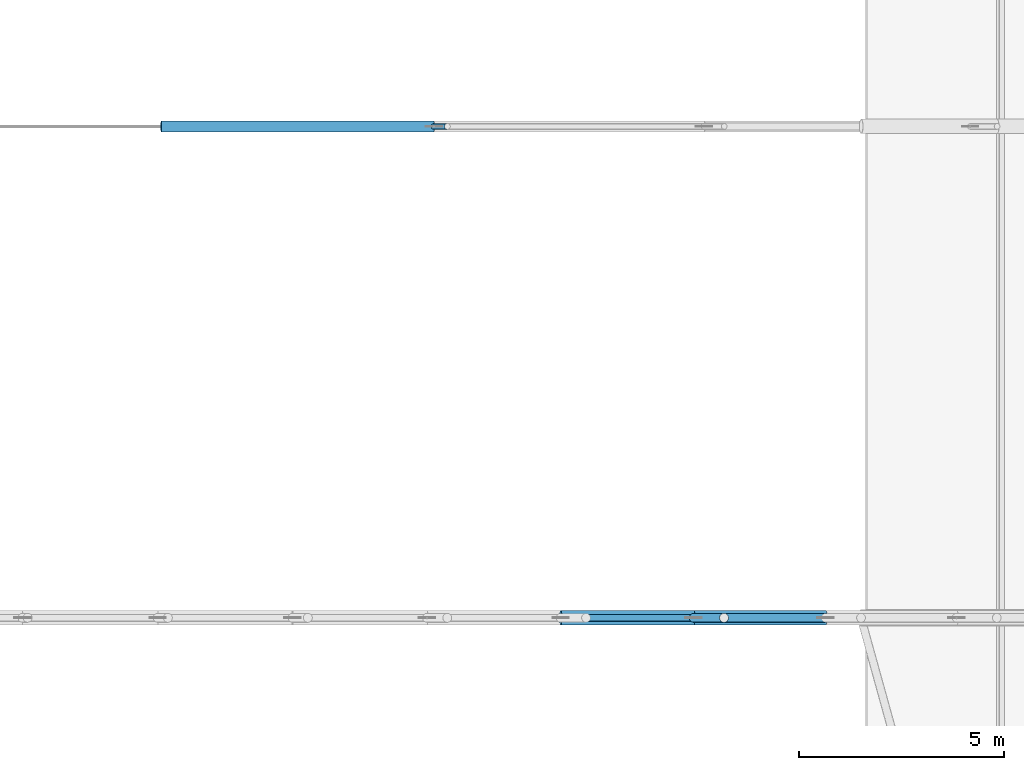
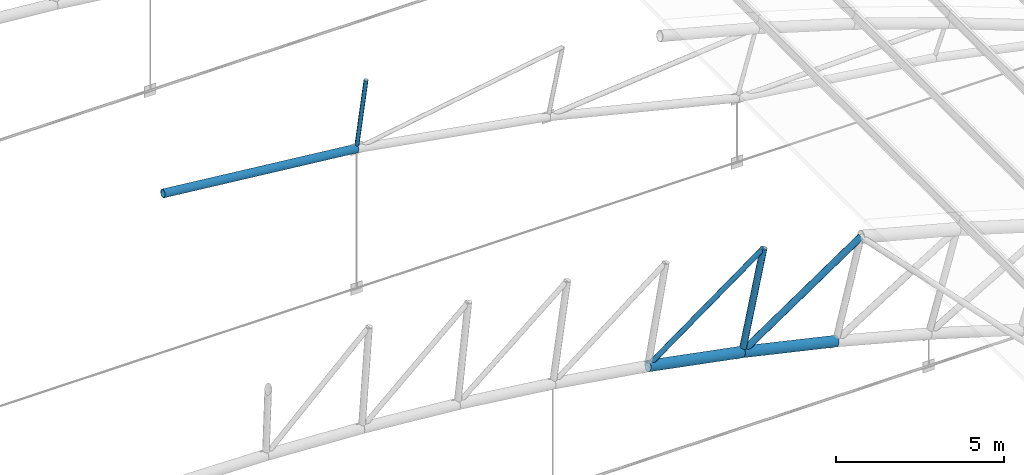
# One storey, part 93 of 321: 7 members.
"""IFC4 building model written with IfcOpenShell, lengths in metres."""

from ifc_helpers import new_model, si_unit, direction, frame, origin, origin_2d, place, context, subcontext, project, spatial, hollow_circle, extrude, material, material_profile, profile_set, type_object, element, save


model = new_model("IFC4")

# Units and contexts
model_context = context("Model", 3, precision=1e-05, world=origin(), true_north=direction((0.0, 1.0)))
body_context = subcontext(model_context, "Body", "Model", "MODEL_VIEW")
ifc_project = project(units=[si_unit("LENGTHUNIT", "METRE"), si_unit("AREAUNIT", "SQUARE_METRE"), si_unit("VOLUMEUNIT", "CUBIC_METRE"), si_unit("PLANEANGLEUNIT", "RADIAN"), si_unit("MASSUNIT", "GRAM", prefix="KILO")], contexts=[model_context])

# Site, building, storey
site_placement = place(None, origin())
site = spatial("IfcSite", under=ifc_project, at=site_placement, CompositionType="ELEMENT")
building_placement = place(site_placement, origin())
building = spatial("IfcBuilding", under=site, at=building_placement, Name="Ravi Spectrum Wholesale Market", CompositionType="ELEMENT")
storey_placement = place(building_placement, frame((0.0, 0.0, 10.800048828125)))
storey = spatial("IfcBuildingStorey", under=building, at=storey_placement, Name="L02", CompositionType="ELEMENT", Elevation=10.800048828125)

# Members
ifc_material_1 = material(Name="Steel S355", Category="steel")
ifc_material_profile_1 = material_profile(ifc_material_1, hollow_circle(Radius=0.06982421875, WallThickness=0.0048828125, at=origin_2d()))
ifc_profile_set_1 = profile_set([ifc_material_profile_1], Name="Steel S355")
member_type_1 = type_object("IfcMemberType", Name="CHS 139.7x5 post", PredefinedType="POST", material=ifc_profile_set_1)
member_1_placement = place(storey_placement, frame((83.681884765625, 90.0, 7.479736328125), z_axis=(-0.137532332315, 0.0, -0.990497277921), x_axis=(0.0, -1.0, 0.0)))
element("IfcMember", 1, at=member_1_placement, inside=storey, type_object=member_type_1, Name="H1-MB-L02-467", PredefinedType="POST", context=body_context, shape_type="SweptSolid", body=[
    extrude(hollow_circle(Radius=0.06982421875, WallThickness=0.0048828125, at=origin_2d()), origin(), (0.0, 0.0, 1.0), 2.39990234375),
])
ifc_material_2 = material(Name="Steel S355", Category="steel")
ifc_material_profile_2 = material_profile(ifc_material_2, hollow_circle(Radius=0.084228515625, WallThickness=0.00634765625, at=origin_2d()))
ifc_profile_set_2 = profile_set([ifc_material_profile_2], Name="Steel S355")
member_type_2 = type_object("IfcMemberType", Name="CHS 168.3x6.3 brace", PredefinedType="BRACE", material=ifc_profile_set_2)
member_2_placement = place(storey_placement, frame((90.436279296875, 78.0, 6.27734375), z_axis=(-0.808703958366, 0.0, -0.588215868303), x_axis=(0.0, -1.0, 0.0)))
element("IfcMember", 2, at=member_2_placement, inside=storey, type_object=member_type_2, Name="H1-MB-L02-412", PredefinedType="BRACE", context=body_context, shape_type="SweptSolid", body=[
    extrude(hollow_circle(Radius=0.084228515625, WallThickness=0.00634765625, at=origin_2d()), origin(), (0.0, 0.0, 1.0), 4.9296875),
])
ifc_material_3 = material(Name="Steel S355", Category="steel")
ifc_material_profile_3 = material_profile(ifc_material_3, hollow_circle(Radius=0.109619140625, WallThickness=0.008056640625, at=origin_2d()))
ifc_profile_set_3 = profile_set([ifc_material_profile_3], Name="Steel S355")
member_type_3 = type_object("IfcMemberType", Name="CHS 219.1x8 brace", PredefinedType="BRACE", material=ifc_profile_set_3)
member_3_placement = place(storey_placement, frame((93.78076171875, 78.0, 5.514404296875), z_axis=(-0.828544259915, 0.0, -0.559923574573), x_axis=(0.0, -1.0, 0.0)))
element("IfcMember", 3, at=member_3_placement, inside=storey, type_object=member_type_3, Name="H1-MB-L02-413", PredefinedType="BRACE", context=body_context, shape_type="SweptSolid", body=[
    extrude(hollow_circle(Radius=0.109619140625, WallThickness=0.008056640625, at=origin_2d()), origin(), (0.0, 0.0, 1.0), 4.9296875),
])
ifc_material_4 = material(Name="Steel S355", Category="steel")
ifc_material_profile_4 = material_profile(ifc_material_4, hollow_circle(Radius=0.109619140625, WallThickness=0.008056640625, at=origin_2d()))
ifc_profile_set_4 = profile_set([ifc_material_profile_4], Name="Steel S355")
member_type_4 = type_object("IfcMemberType", Name="CHS 219.1x8 post", PredefinedType="POST", material=ifc_profile_set_4)
member_4_placement = place(storey_placement, frame((90.436279296875, 78.0, 6.27734375), z_axis=(-0.205549060287, 0.0, -0.978646812602), x_axis=(0.0, -1.0, 0.0)))
element("IfcMember", 4, at=member_4_placement, inside=storey, type_object=member_type_4, Name="H1-MB-L02-390", PredefinedType="POST", context=body_context, shape_type="SweptSolid", body=[
    extrude(hollow_circle(Radius=0.109619140625, WallThickness=0.008056640625, at=origin_2d()), origin(), (0.0, 0.0, 1.0), 3.60009765625),
])
ifc_material_5 = material(Name="Steel S355", Category="steel")
ifc_material_profile_5 = material_profile(ifc_material_5, hollow_circle(Radius=0.136474609375, WallThickness=0.010009765625, at=origin_2d()))
ifc_profile_set_5 = profile_set([ifc_material_profile_5], Name="Steel S355")
member_type_5 = type_object("IfcMemberType", Name="CHS 273x10 chord", PredefinedType="CHORD", material=ifc_profile_set_5)
member_5_placement = place(storey_placement, frame((76.69189453125, 90.0, 5.79443359375), z_axis=(0.994646786479, 0.0, -0.103333296414), x_axis=(0.0, 1.0, 0.0)))
element("IfcMember", 5, at=member_5_placement, inside=storey, type_object=member_type_5, Name="H1-MB-L02-455", PredefinedType="CHORD", context=body_context, shape_type="SweptSolid", body=[
    extrude(hollow_circle(Radius=0.136474609375, WallThickness=0.010009765625, at=origin_2d()), origin(), (0.0, 0.0, 1.0), 6.69580078125),
])
ifc_material_6 = material(Name="Steel S355", Category="steel")
ifc_material_profile_6 = material_profile(ifc_material_6, hollow_circle(Radius=0.177734375, WallThickness=0.012451171875, at=origin_2d()))
ifc_profile_set_6 = profile_set([ifc_material_profile_6], Name="Steel S355")
member_type_6 = type_object("IfcMemberType", Name="CHS 355.6x12.5 chord", PredefinedType="CHORD", material=ifc_profile_set_6)
member_6_placement = place(storey_placement, frame((86.44970703125, 78.0, 3.377685546875), z_axis=(0.982051718756, 0.0, -0.188611828072), x_axis=(0.0, 1.0, 0.0)))
element("IfcMember", 6, at=member_6_placement, inside=storey, type_object=member_type_6, Name="H1-MB-L02-366", PredefinedType="CHORD", context=body_context, shape_type="SweptSolid", body=[
    extrude(hollow_circle(Radius=0.177734375, WallThickness=0.012451171875, at=origin_2d()), origin(), (0.0, 0.0, 1.0), 3.305908203125),
])
member_7_placement = place(storey_placement, frame((89.6962890625, 78.0, 2.754150390625), z_axis=(0.974967923727, 0.0, -0.222345559217), x_axis=(0.0, 1.0, 0.0)))
element("IfcMember", 7, at=member_7_placement, inside=storey, type_object=member_type_6, Name="H1-MB-L02-367", PredefinedType="CHORD", context=body_context, shape_type="SweptSolid", body=[
    extrude(hollow_circle(Radius=0.177734375, WallThickness=0.012451171875, at=origin_2d()), origin(), (0.0, 0.0, 1.0), 3.30615234375),
])

save(model, "model.ifc")
